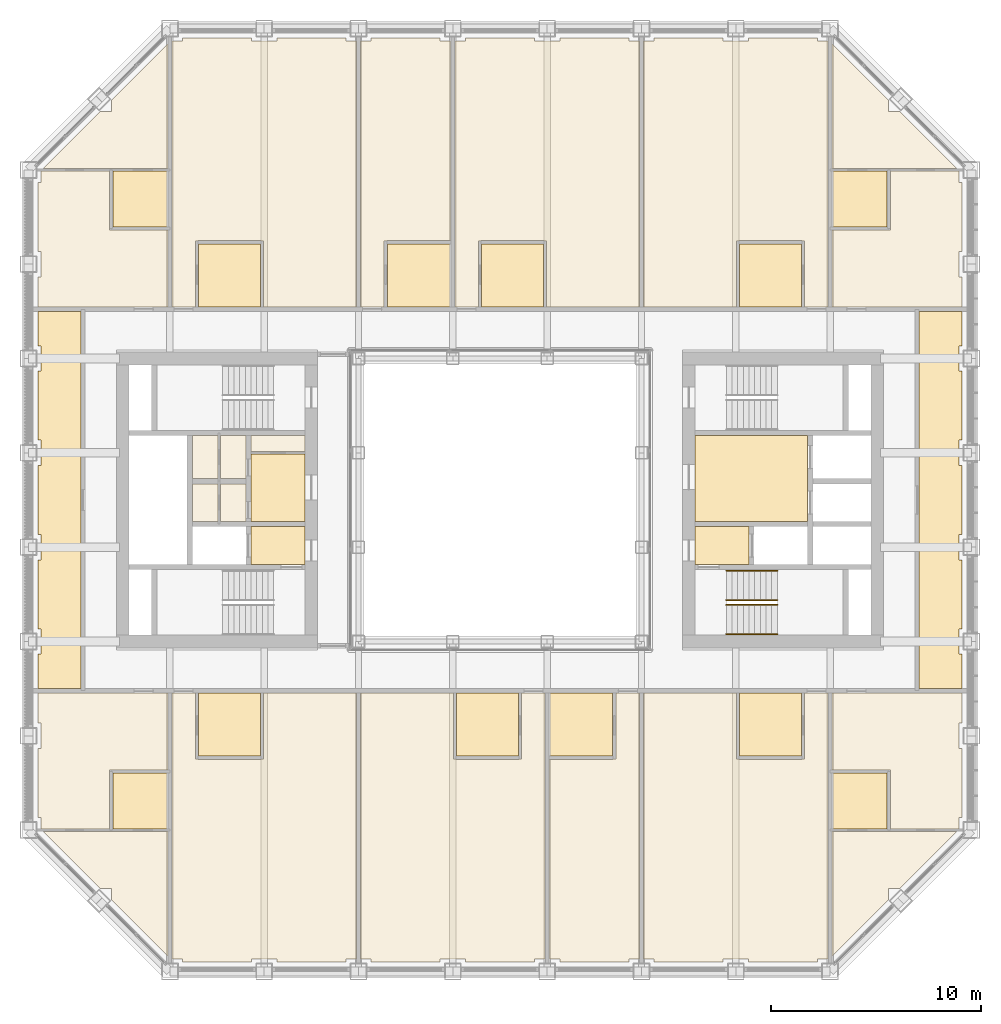
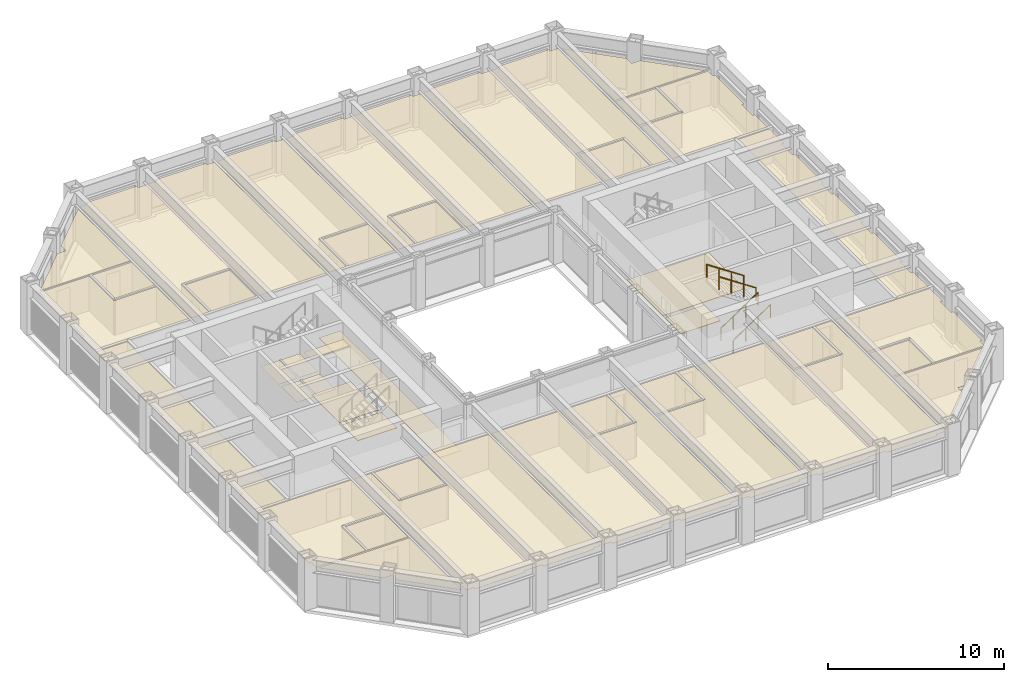
# One storey, part 16 of 17: 4 coverings, 4 railings.
"""IFC4 building model written with IfcOpenShell, lengths in metres."""

from ifc_helpers import new_model, si_unit, direction, frame, origin, origin_2d, place, context, subcontext, project, spatial, line, indexed_curve, circle, outline, extrude, material, layer, layer_set, type_object, element, save


model = new_model("IFC4")

# Units and contexts
model_context = context("Model", 3, precision=1e-05, world=origin(), true_north=direction((0.0, 1.0)))
body_context = subcontext(model_context, "Body", "Model", "MODEL_VIEW")
ifc_project = project(units=[si_unit("LENGTHUNIT", "METRE"), si_unit("AREAUNIT", "SQUARE_METRE"), si_unit("VOLUMEUNIT", "CUBIC_METRE"), si_unit("PLANEANGLEUNIT", "RADIAN"), si_unit("MASSUNIT", "GRAM", prefix="KILO")], contexts=[model_context])

# Site, building, storey
site_placement = place(None, origin())
site = spatial("IfcSite", under=ifc_project, at=site_placement, CompositionType="ELEMENT")
building_placement = place(site_placement, origin())
building = spatial("IfcBuilding", under=site, at=building_placement, Name="Msasa Ring Tower", CompositionType="ELEMENT")
storey_placement = place(building_placement, frame((0.0, 0.0, 165.199951171875)))
storey = spatial("IfcBuildingStorey", under=building, at=storey_placement, Name="L43", CompositionType="ELEMENT", Elevation=165.199951171875)

# Coverings
ifc_material_1 = material(Name="Gypsum plasterboard on a steel suspension grid", Category="steel")
ifc_layer_1 = layer(ifc_material_1, 0.014892578125)
ifc_layer_set_1 = layer_set([ifc_layer_1], Name="C1 SUSPENDED PLASTERBOARD CEILING 15")
covering_type_1 = type_object("IfcCoveringType", Name="C1 SUSPENDED PLASTERBOARD CEILING 15", PredefinedType="CEILING", material=ifc_layer_set_1)
covering_1_placement = place(storey_placement, frame((0.0, 0.0, 2.407958984375)))
element("IfcCovering", 1, at=covering_1_placement, inside=storey, type_object=covering_type_1, Name="Suspended Plasterboard Ceiling 15 L43", PredefinedType="CEILING", context=body_context, shape_type="SweptSolid", body=[
    extrude(outline(indexed_curve([(-22.049560546875, -11.8505859375), (-21.8994140625, -11.8505859375), (-21.8994140625, -10.6494140625), (-22.049560546875, -10.6494140625), (-22.049560546875, -9.200439453125), (-15.8505859375, -9.200439453125), (-15.8505859375, -12.869384765625), (-18.630615234375, -12.869384765625), (-18.630615234375, -15.694580078125), (-21.8994140625, -15.694580078125), (-21.8994140625, -15.1494140625), (-22.049560546875, -15.1494140625)], segments=[line(1, 2, 3, 4, 5, 6, 7, 8, 9, 10, 11, 12, 1)], self_intersect=False)), origin(), (0.0, 0.0, 1.0), 0.01513671875),
    extrude(outline(indexed_curve([(-15.8505859375, 9.200439453125), (-22.049560546875, 9.200439453125), (-22.049560546875, 10.6494140625), (-21.8994140625, 10.6494140625), (-21.8994140625, 11.8505859375), (-22.049560546875, 11.8505859375), (-22.049560546875, 15.1494140625), (-21.8994140625, 15.1494140625), (-21.8994140625, 15.694580078125), (-18.630615234375, 15.694580078125), (-18.630615234375, 12.869384765625), (-15.8505859375, 12.869384765625)], segments=[line(1, 2, 3, 4, 5, 6, 7, 8, 9, 10, 11, 12, 1)], self_intersect=False)), origin(), (0.0, 0.0, 1.0), 0.01513671875),
    extrude(outline(indexed_curve([(-18.5244140625, -19.08837890625), (-18.5244140625, -18.5244140625), (-19.08837890625, -18.5244140625), (-21.807373046875, -15.805419921875), (-15.8505859375, -15.805419921875), (-15.8505859375, -21.762451171875)], segments=[line(1, 2, 3, 4, 5, 6, 1)], self_intersect=False)), origin(), (0.0, 0.0, 1.0), 0.01513671875),
    extrude(outline(indexed_curve([(-19.08837890625, 18.5244140625), (-18.5244140625, 18.5244140625), (-18.5244140625, 19.08837890625), (-15.8505859375, 21.762451171875), (-15.8505859375, 15.805419921875), (-21.807373046875, 15.805419921875)], segments=[line(1, 2, 3, 4, 5, 6, 1)], self_intersect=False)), origin(), (0.0, 0.0, 1.0), 0.01513671875),
    extrude(outline(indexed_curve([(-14.525390625, -12.35009765625), (-14.39990234375, -12.3505859375), (-14.39990234375, -12.37548828125), (-11.39990234375, -12.37548828125), (-11.39990234375, -12.3505859375), (-11.2744140625, -12.35009765625), (-11.2744140625, -9.200439453125), (-6.8505859375, -9.200439453125), (-6.8505859375, -21.8994140625), (-7.3505859375, -21.8994140625), (-7.3505859375, -22.049560546875), (-10.6494140625, -22.049560546875), (-10.6494140625, -21.8994140625), (-11.8505859375, -21.8994140625), (-11.8505859375, -22.049560546875), (-15.1494140625, -22.049560546875), (-15.1494140625, -21.8994140625), (-15.6494140625, -21.8994140625), (-15.6494140625, -9.200439453125), (-14.525390625, -9.200439453125)], segments=[line(1, 2, 3, 4, 5, 6, 7, 8, 9, 10, 11, 12, 13, 14, 15, 16, 17, 18, 19, 20, 1)], self_intersect=False)), origin(), (0.0, 0.0, 1.0), 0.01513671875),
    extrude(outline(indexed_curve([(-11.39990234375, 12.3505859375), (-11.39990234375, 12.37548828125), (-14.39990234375, 12.37548828125), (-14.39990234375, 12.3505859375), (-14.525390625, 12.35009765625), (-14.525390625, 9.200439453125), (-15.6494140625, 9.200439453125), (-15.6494140625, 21.8994140625), (-15.1494140625, 21.8994140625), (-15.1494140625, 22.049560546875), (-11.8505859375, 22.049560546875), (-11.8505859375, 21.8994140625), (-10.6494140625, 21.8994140625), (-10.6494140625, 22.049560546875), (-7.3505859375, 22.049560546875), (-7.3505859375, 21.8994140625), (-6.8505859375, 21.8994140625), (-6.8505859375, 9.200439453125), (-11.2744140625, 9.200439453125), (-11.2744140625, 12.35009765625)], segments=[line(1, 2, 3, 4, 5, 6, 7, 8, 9, 10, 11, 12, 13, 14, 15, 16, 17, 18, 19, 20, 1)], self_intersect=False)), origin(), (0.0, 0.0, 1.0), 0.01513671875),
    extrude(outline(indexed_curve([(-13.45556640625, -1.0244140625), (-14.674560546875, -1.0244140625), (-14.674560546875, 0.7744140625), (-13.45556640625, 0.7744140625)], segments=[line(1, 2, 3, 4, 1)], self_intersect=False)), origin(), (0.0, 0.0, 1.0), 0.01513671875),
    extrude(outline(indexed_curve([(-14.674560546875, 3.074462890625), (-13.45556640625, 3.074462890625), (-13.45556640625, 1.025390625), (-14.674560546875, 1.025390625)], segments=[line(1, 2, 3, 4, 1)], self_intersect=False)), origin(), (0.0, 0.0, 1.0), 0.01513671875),
    extrude(outline(indexed_curve([(-12.12548828125, -1.0244140625), (-13.344482421875, -1.0244140625), (-13.344482421875, 0.7744140625), (-12.12548828125, 0.7744140625)], segments=[line(1, 2, 3, 4, 1)], self_intersect=False)), origin(), (0.0, 0.0, 1.0), 0.01513671875),
    extrude(outline(indexed_curve([(-13.344482421875, 3.074462890625), (-12.12548828125, 3.074462890625), (-12.12548828125, 1.025390625), (-13.344482421875, 1.025390625)], segments=[line(1, 2, 3, 4, 1)], self_intersect=False)), origin(), (0.0, 0.0, 1.0), 0.01513671875),
    extrude(outline(indexed_curve([(-11.87451171875, 3.074462890625), (-9.300537109375, 3.074462890625), (-9.300537109375, 2.305419921875), (-11.87451171875, 2.305419921875)], segments=[line(1, 2, 3, 4, 1)], self_intersect=False)), origin(), (0.0, 0.0, 1.0), 0.01513671875),
    extrude(outline(indexed_curve([(-2.10009765625, -12.3505859375), (-2.10009765625, -12.37548828125), (0.89990234375, -12.37548828125), (0.89990234375, -12.3505859375), (1.025390625, -12.35009765625), (1.025390625, -9.200439453125), (2.1494140625, -9.200439453125), (2.1494140625, -21.8994140625), (1.6494140625, -21.8994140625), (1.6494140625, -22.049560546875), (-1.6494140625, -22.049560546875), (-1.6494140625, -21.8994140625), (-2.8505859375, -21.8994140625), (-2.8505859375, -22.049560546875), (-6.1494140625, -22.049560546875), (-6.1494140625, -21.8994140625), (-6.6494140625, -21.8994140625), (-6.6494140625, -9.200439453125), (-2.2255859375, -9.200439453125), (-2.2255859375, -12.35009765625)], segments=[line(1, 2, 3, 4, 5, 6, 7, 8, 9, 10, 11, 12, 13, 14, 15, 16, 17, 18, 19, 20, 1)], self_intersect=False)), origin(), (0.0, 0.0, 1.0), 0.01513671875),
    extrude(outline(indexed_curve([(-6.6494140625, 21.8994140625), (-6.1494140625, 21.8994140625), (-6.1494140625, 22.049560546875), (-2.8505859375, 22.049560546875), (-2.8505859375, 21.8994140625), (-2.3505859375, 21.8994140625), (-2.3505859375, 12.37548828125), (-5.39990234375, 12.37548828125), (-5.39990234375, 12.3505859375), (-5.525390625, 12.35009765625), (-5.525390625, 9.200439453125), (-6.6494140625, 9.200439453125)], segments=[line(1, 2, 3, 4, 5, 6, 7, 8, 9, 10, 11, 12, 1)], self_intersect=False)), origin(), (0.0, 0.0, 1.0), 0.01513671875),
    extrude(outline(indexed_curve([(2.10009765625, 12.3505859375), (2.10009765625, 12.37548828125), (-0.89990234375, 12.37548828125), (-0.89990234375, 12.3505859375), (-1.025390625, 12.35009765625), (-1.025390625, 9.200439453125), (-2.1494140625, 9.200439453125), (-2.1494140625, 21.8994140625), (-1.6494140625, 21.8994140625), (-1.6494140625, 22.049560546875), (1.6494140625, 22.049560546875), (1.6494140625, 21.8994140625), (2.8505859375, 21.8994140625), (2.8505859375, 22.049560546875), (6.1494140625, 22.049560546875), (6.1494140625, 21.8994140625), (6.6494140625, 21.8994140625), (6.6494140625, 9.200439453125), (2.2255859375, 9.200439453125), (2.2255859375, 12.35009765625)], segments=[line(1, 2, 3, 4, 5, 6, 7, 8, 9, 10, 11, 12, 13, 14, 15, 16, 17, 18, 19, 20, 1)], self_intersect=False)), origin(), (0.0, 0.0, 1.0), 0.01513671875),
    extrude(outline(indexed_curve([(6.6494140625, -21.8994140625), (6.1494140625, -21.8994140625), (6.1494140625, -22.049560546875), (2.8505859375, -22.049560546875), (2.8505859375, -21.8994140625), (2.3505859375, -21.8994140625), (2.3505859375, -12.37548828125), (5.39990234375, -12.37548828125), (5.39990234375, -12.3505859375), (5.525390625, -12.35009765625), (5.525390625, -9.200439453125), (6.6494140625, -9.200439453125)], segments=[line(1, 2, 3, 4, 5, 6, 7, 8, 9, 10, 11, 12, 1)], self_intersect=False)), origin(), (0.0, 0.0, 1.0), 0.01513671875),
    extrude(outline(indexed_curve([(11.39990234375, -12.3505859375), (11.39990234375, -12.37548828125), (14.39990234375, -12.37548828125), (14.39990234375, -12.3505859375), (14.525390625, -12.35009765625), (14.525390625, -9.200439453125), (15.6494140625, -9.200439453125), (15.6494140625, -21.8994140625), (15.1494140625, -21.8994140625), (15.1494140625, -22.049560546875), (11.8505859375, -22.049560546875), (11.8505859375, -21.8994140625), (10.6494140625, -21.8994140625), (10.6494140625, -22.049560546875), (7.3505859375, -22.049560546875), (7.3505859375, -21.8994140625), (6.8505859375, -21.8994140625), (6.8505859375, -9.200439453125), (11.2744140625, -9.200439453125), (11.2744140625, -12.35009765625)], segments=[line(1, 2, 3, 4, 5, 6, 7, 8, 9, 10, 11, 12, 13, 14, 15, 16, 17, 18, 19, 20, 1)], self_intersect=False)), origin(), (0.0, 0.0, 1.0), 0.01513671875),
    extrude(outline(indexed_curve([(14.39990234375, 12.3505859375), (14.39990234375, 12.37548828125), (11.39990234375, 12.37548828125), (11.39990234375, 12.3505859375), (11.2744140625, 12.35009765625), (11.2744140625, 9.200439453125), (6.8505859375, 9.200439453125), (6.8505859375, 21.8994140625), (7.3505859375, 21.8994140625), (7.3505859375, 22.049560546875), (10.6494140625, 22.049560546875), (10.6494140625, 21.8994140625), (11.8505859375, 21.8994140625), (11.8505859375, 22.049560546875), (15.1494140625, 22.049560546875), (15.1494140625, 21.8994140625), (15.6494140625, 21.8994140625), (15.6494140625, 9.200439453125), (14.525390625, 9.200439453125), (14.525390625, 12.35009765625)], segments=[line(1, 2, 3, 4, 5, 6, 7, 8, 9, 10, 11, 12, 13, 14, 15, 16, 17, 18, 19, 20, 1)], self_intersect=False)), origin(), (0.0, 0.0, 1.0), 0.01513671875),
    extrude(outline(indexed_curve([(19.08837890625, -18.5244140625), (18.5244140625, -18.5244140625), (18.5244140625, -19.08837890625), (15.8505859375, -21.762451171875), (15.8505859375, -15.805419921875), (21.807373046875, -15.805419921875)], segments=[line(1, 2, 3, 4, 5, 6, 1)], self_intersect=False)), origin(), (0.0, 0.0, 1.0), 0.01513671875),
    extrude(outline(indexed_curve([(15.8505859375, -12.869384765625), (15.8505859375, -9.200439453125), (22.049560546875, -9.200439453125), (22.049560546875, -10.6494140625), (21.8994140625, -10.6494140625), (21.8994140625, -11.8505859375), (22.049560546875, -11.8505859375), (22.049560546875, -15.1494140625), (21.8994140625, -15.1494140625), (21.8994140625, -15.694580078125), (18.630615234375, -15.694580078125), (18.630615234375, -12.869384765625)], segments=[line(1, 2, 3, 4, 5, 6, 7, 8, 9, 10, 11, 12, 1)], self_intersect=False)), origin(), (0.0, 0.0, 1.0), 0.01513671875),
    extrude(outline(indexed_curve([(22.049560546875, 11.8505859375), (21.8994140625, 11.8505859375), (21.8994140625, 10.6494140625), (22.049560546875, 10.6494140625), (22.049560546875, 9.200439453125), (15.8505859375, 9.200439453125), (15.8505859375, 12.869384765625), (18.630615234375, 12.869384765625), (18.630615234375, 15.694580078125), (21.8994140625, 15.694580078125), (21.8994140625, 15.1494140625), (22.049560546875, 15.1494140625)], segments=[line(1, 2, 3, 4, 5, 6, 7, 8, 9, 10, 11, 12, 1)], self_intersect=False)), origin(), (0.0, 0.0, 1.0), 0.01513671875),
    extrude(outline(indexed_curve([(15.8505859375, 15.805419921875), (15.8505859375, 21.762451171875), (18.5244140625, 19.08837890625), (18.5244140625, 18.5244140625), (19.08837890625, 18.5244140625), (21.807373046875, 15.805419921875)], segments=[line(1, 2, 3, 4, 5, 6, 1)], self_intersect=False)), origin(), (0.0, 0.0, 1.0), 0.01513671875),
])
ifc_material_2 = material(Name="Moisture-resistant gypsum plasterboard on a steel suspension grid", Category="steel")
ifc_layer_2 = layer(ifc_material_2, 0.014892578125)
ifc_layer_set_2 = layer_set([ifc_layer_2], Name="C2 MOISTURE-RESISTANT PLASTERBOARD CEILING 15")
covering_type_2 = type_object("IfcCoveringType", Name="C2 MOISTURE-RESISTANT PLASTERBOARD CEILING 15", PredefinedType="CEILING", material=ifc_layer_set_2)
covering_2_placement = place(storey_placement, frame((0.0, 0.0, 2.400146484375)))
element("IfcCovering", 2, at=covering_2_placement, inside=storey, type_object=covering_type_2, Name="Moisture-Resistant Plasterboard Ceiling 15 L43", PredefinedType="CEILING", context=body_context, shape_type="SweptSolid", body=[
    extrude(outline(indexed_curve([(-18.469482421875, -15.694580078125), (-18.469482421875, -13.030517578125), (-15.8505859375, -13.030517578125), (-15.8505859375, -15.694580078125)], segments=[line(1, 2, 3, 4, 1)], self_intersect=False)), origin(), (0.0, 0.0, 1.0), 0.014892578125),
    extrude(outline(indexed_curve([(-18.469482421875, 15.694580078125), (-15.8505859375, 15.694580078125), (-15.8505859375, 13.030517578125), (-18.469482421875, 13.030517578125)], segments=[line(1, 2, 3, 4, 1)], self_intersect=False)), origin(), (0.0, 0.0, 1.0), 0.014892578125),
    extrude(outline(indexed_curve([(-11.425537109375, -9.200439453125), (-11.425537109375, -12.224609375), (-14.37451171875, -12.224609375), (-14.37451171875, -9.200439453125)], segments=[line(1, 2, 3, 4, 1)], self_intersect=False)), origin(), (0.0, 0.0, 1.0), 0.014892578125),
    extrude(outline(indexed_curve([(-14.37451171875, 9.200439453125), (-14.37451171875, 12.224609375), (-11.425537109375, 12.224609375), (-11.425537109375, 9.200439453125)], segments=[line(1, 2, 3, 4, 1)], self_intersect=False)), origin(), (0.0, 0.0, 1.0), 0.014892578125),
    extrude(outline(indexed_curve([(-2.3505859375, 9.200439453125), (-5.37451171875, 9.200439453125), (-5.37451171875, 12.224609375), (-2.3505859375, 12.224609375)], segments=[line(1, 2, 3, 4, 1)], self_intersect=False)), origin(), (0.0, 0.0, 1.0), 0.014892578125),
    extrude(outline(indexed_curve([(0.87451171875, -9.200439453125), (0.87451171875, -12.224609375), (-2.074462890625, -12.224609375), (-2.074462890625, -9.200439453125)], segments=[line(1, 2, 3, 4, 1)], self_intersect=False)), origin(), (0.0, 0.0, 1.0), 0.014892578125),
    extrude(outline(indexed_curve([(-0.87451171875, 9.200439453125), (-0.87451171875, 12.224609375), (2.074462890625, 12.224609375), (2.074462890625, 9.200439453125)], segments=[line(1, 2, 3, 4, 1)], self_intersect=False)), origin(), (0.0, 0.0, 1.0), 0.014892578125),
    extrude(outline(indexed_curve([(2.3505859375, -9.200439453125), (5.37451171875, -9.200439453125), (5.37451171875, -12.224609375), (2.3505859375, -12.224609375)], segments=[line(1, 2, 3, 4, 1)], self_intersect=False)), origin(), (0.0, 0.0, 1.0), 0.014892578125),
    extrude(outline(indexed_curve([(14.37451171875, -9.200439453125), (14.37451171875, -12.224609375), (11.425537109375, -12.224609375), (11.425537109375, -9.200439453125)], segments=[line(1, 2, 3, 4, 1)], self_intersect=False)), origin(), (0.0, 0.0, 1.0), 0.014892578125),
    extrude(outline(indexed_curve([(11.425537109375, 9.200439453125), (11.425537109375, 12.224609375), (14.37451171875, 12.224609375), (14.37451171875, 9.200439453125)], segments=[line(1, 2, 3, 4, 1)], self_intersect=False)), origin(), (0.0, 0.0, 1.0), 0.014892578125),
    extrude(outline(indexed_curve([(15.8505859375, -15.694580078125), (15.8505859375, -13.030517578125), (18.469482421875, -13.030517578125), (18.469482421875, -15.694580078125)], segments=[line(1, 2, 3, 4, 1)], self_intersect=False)), origin(), (0.0, 0.0, 1.0), 0.014892578125),
    extrude(outline(indexed_curve([(15.8505859375, 15.694580078125), (18.469482421875, 15.694580078125), (18.469482421875, 13.030517578125), (15.8505859375, 13.030517578125)], segments=[line(1, 2, 3, 4, 1)], self_intersect=False)), origin(), (0.0, 0.0, 1.0), 0.014892578125),
])
ifc_material_3 = material(Name="Mineral fibre ceiling tiles on an exposed steel grid", Category="steel")
ifc_layer_3 = layer(ifc_material_3, 0.02001953125)
ifc_layer_set_3 = layer_set([ifc_layer_3], Name="C3 ACOUSTIC MINERAL FIBRE TILE CEILING 20")
covering_type_3 = type_object("IfcCoveringType", Name="C3 ACOUSTIC MINERAL FIBRE TILE CEILING 20", PredefinedType="CEILING", material=ifc_layer_set_3)
covering_3_placement = place(storey_placement, frame((0.0, 0.0, 2.408935546875)))
element("IfcCovering", 3, at=covering_3_placement, inside=storey, type_object=covering_type_3, Name="Acoustic Mineral Fibre Tile Ceiling 20 L43", PredefinedType="CEILING", context=body_context, shape_type="SweptSolid", body=[
    extrude(outline(indexed_curve([(-22.049560546875, -8.99951171875), (-22.049560546875, -7.3505859375), (-21.8994140625, -7.3505859375), (-21.8994140625, -6.1494140625), (-22.049560546875, -6.1494140625), (-22.049560546875, -2.8505859375), (-21.8994140625, -2.8505859375), (-21.8994140625, -1.6494140625), (-22.049560546875, -1.6494140625), (-22.049560546875, 1.6494140625), (-21.8994140625, 1.6494140625), (-21.8994140625, 2.8505859375), (-22.049560546875, 2.8505859375), (-22.049560546875, 6.1494140625), (-21.8994140625, 6.1494140625), (-21.8994140625, 7.3505859375), (-22.049560546875, 7.3505859375), (-22.049560546875, 8.99951171875), (-20.00048828125, 8.99951171875), (-20.00048828125, -8.99951171875)], segments=[line(1, 2, 3, 4, 5, 6, 7, 8, 9, 10, 11, 12, 13, 14, 15, 16, 17, 18, 19, 20, 1)], self_intersect=False)), origin(), (0.0, 0.0, 1.0), 0.02001953125),
    extrude(outline(indexed_curve([(20.00048828125, 8.99951171875), (22.049560546875, 8.99951171875), (22.049560546875, 7.3505859375), (21.8994140625, 7.3505859375), (21.8994140625, 6.1494140625), (22.049560546875, 6.1494140625), (22.049560546875, 2.8505859375), (21.8994140625, 2.8505859375), (21.8994140625, 1.6494140625), (22.049560546875, 1.6494140625), (22.049560546875, -1.6494140625), (21.8994140625, -1.6494140625), (21.8994140625, -2.8505859375), (22.049560546875, -2.8505859375), (22.049560546875, -6.1494140625), (21.8994140625, -6.1494140625), (21.8994140625, -7.3505859375), (22.049560546875, -7.3505859375), (22.049560546875, -8.99951171875), (20.00048828125, -8.99951171875)], segments=[line(1, 2, 3, 4, 5, 6, 7, 8, 9, 10, 11, 12, 13, 14, 15, 16, 17, 18, 19, 20, 1)], self_intersect=False)), origin(), (0.0, 0.0, 1.0), 0.02001953125),
])
ifc_material_4 = material(Name="Honed granite tiles on a mortar bed", Category="masonry")
ifc_layer_4 = layer(ifc_material_4, 0.030029296875)
ifc_layer_set_4 = layer_set([ifc_layer_4], Name="F1 HONED GRANITE ON BEDDING 30")
covering_type_4 = type_object("IfcCoveringType", Name="F1 HONED GRANITE ON BEDDING 30", PredefinedType="FLOORING", material=ifc_layer_set_4)
covering_4_placement = place(storey_placement, origin())
element("IfcCovering", 4, at=covering_4_placement, inside=storey, type_object=covering_type_4, Name="Honed Granite On Bedding 30 L43", PredefinedType="FLOORING", context=body_context, shape_type="SweptSolid", body=[
    extrude(outline(indexed_curve([(-11.87451171875, -3.074462890625), (-11.87451171875, -1.275390625), (-9.300537109375, -1.275390625), (-9.300537109375, -3.074462890625)], segments=[line(1, 2, 3, 4, 1)], self_intersect=False)), origin(), (0.0, 0.0, 1.0), 0.030029296875),
    extrude(outline(indexed_curve([(-11.87451171875, 2.194580078125), (-9.300537109375, 2.194580078125), (-9.300537109375, -1.0244140625), (-11.87451171875, -1.0244140625)], segments=[line(1, 2, 3, 4, 1)], self_intersect=False)), origin(), (0.0, 0.0, 1.0), 0.030029296875),
    extrude(outline(indexed_curve([(-8.699462890625, -6.849609375), (-8.699462890625, 6.849609375), (-7.280029296875, 6.849609375), (-7.280029296875, -6.849609375)], segments=[line(1, 2, 3, 4, 1)], self_intersect=False)), origin(), (0.0, 0.0, 1.0), 0.030029296875),
    extrude(outline(indexed_curve([(9.300537109375, -3.074462890625), (9.300537109375, -1.275390625), (11.87451171875, -1.275390625), (11.87451171875, -3.074462890625)], segments=[line(1, 2, 3, 4, 1)], self_intersect=False)), origin(), (0.0, 0.0, 1.0), 0.030029296875),
    extrude(outline(indexed_curve([(9.300537109375, 3.074462890625), (14.674560546875, 3.074462890625), (14.674560546875, -1.0244140625), (9.300537109375, -1.0244140625)], segments=[line(1, 2, 3, 4, 1)], self_intersect=False)), origin(), (0.0, 0.0, 1.0), 0.030029296875),
])

# Railings
ifc_material_5 = material(Name="Stainless steel", Category="steel")
railing_type = type_object("IfcRailingType", Name="HR1 HANDRAIL 900", PredefinedType="HANDRAIL", material=ifc_material_5)
for number, where, name in (
    (5, (10.800048828125, -6.39990234375, 0.179931640625), "Handrail stair SEA L43 1"),
    (6, (10.800048828125, -5.0, 0.179931640625), "Handrail stair SEA L43 2"),
):
    element("IfcRailing", number, at=place(storey_placement, frame(where)), inside=storey, type_object=railing_type, Name=name, PredefinedType="HANDRAIL", context=body_context, shape_type="SweptSolid", body=[
        extrude(circle(Radius=0.02392578125, at=origin_2d()), frame((0.0, 0.0, 0.8759765625), z_axis=(0.832024571796, 0.0, 0.554738778101), x_axis=(0.0, 1.0, 0.0)), (0.0, 0.0, 1.0), 2.92041015625),
        extrude(circle(Radius=0.02099609375, at=origin_2d()), origin(), (0.0, 0.0, 1.0), 0.851806640625),
        extrude(circle(Radius=0.02099609375, at=origin_2d()), frame((0.81005859375, 0.0, 0.5400390625)), (0.0, 0.0, 1.0), 0.851806640625),
        extrude(circle(Radius=0.02099609375, at=origin_2d()), frame((1.619873046875, 0.0, 1.080078125)), (0.0, 0.0, 1.0), 0.851806640625),
        extrude(circle(Radius=0.02099609375, at=origin_2d()), frame((2.429931640625, 0.0, 1.6201171875)), (0.0, 0.0, 1.0), 0.851806640625),
    ])
for number, where, name in (
    (7, (13.22998046875, -4.77490234375, 1.97998046875), "Handrail stair SEA L43 3"),
    (8, (13.22998046875, -3.375, 1.97998046875), "Handrail stair SEA L43 4"),
):
    element("IfcRailing", number, at=place(storey_placement, frame(where)), inside=storey, type_object=railing_type, Name=name, PredefinedType="HANDRAIL", context=body_context, shape_type="SweptSolid", body=[
        extrude(circle(Radius=0.02392578125, at=origin_2d()), frame((0.0, 0.0, 0.8759765625), z_axis=(-0.832024571796, 0.0, 0.554738778101), x_axis=(0.0, -1.0, 0.0)), (0.0, 0.0, 1.0), 2.92041015625),
        extrude(circle(Radius=0.02099609375, at=origin_2d()), origin(), (0.0, 0.0, 1.0), 0.851806640625),
        extrude(circle(Radius=0.02099609375, at=origin_2d()), frame((-0.81005859375, 0.0, 0.5400390625)), (0.0, 0.0, 1.0), 0.851806640625),
        extrude(circle(Radius=0.02099609375, at=origin_2d()), frame((-1.619873046875, 0.0, 1.080078125)), (0.0, 0.0, 1.0), 0.851806640625),
        extrude(circle(Radius=0.02099609375, at=origin_2d()), frame((-2.429931640625, 0.0, 1.6201171875)), (0.0, 0.0, 1.0), 0.851806640625),
    ])

save(model, "model.ifc")
